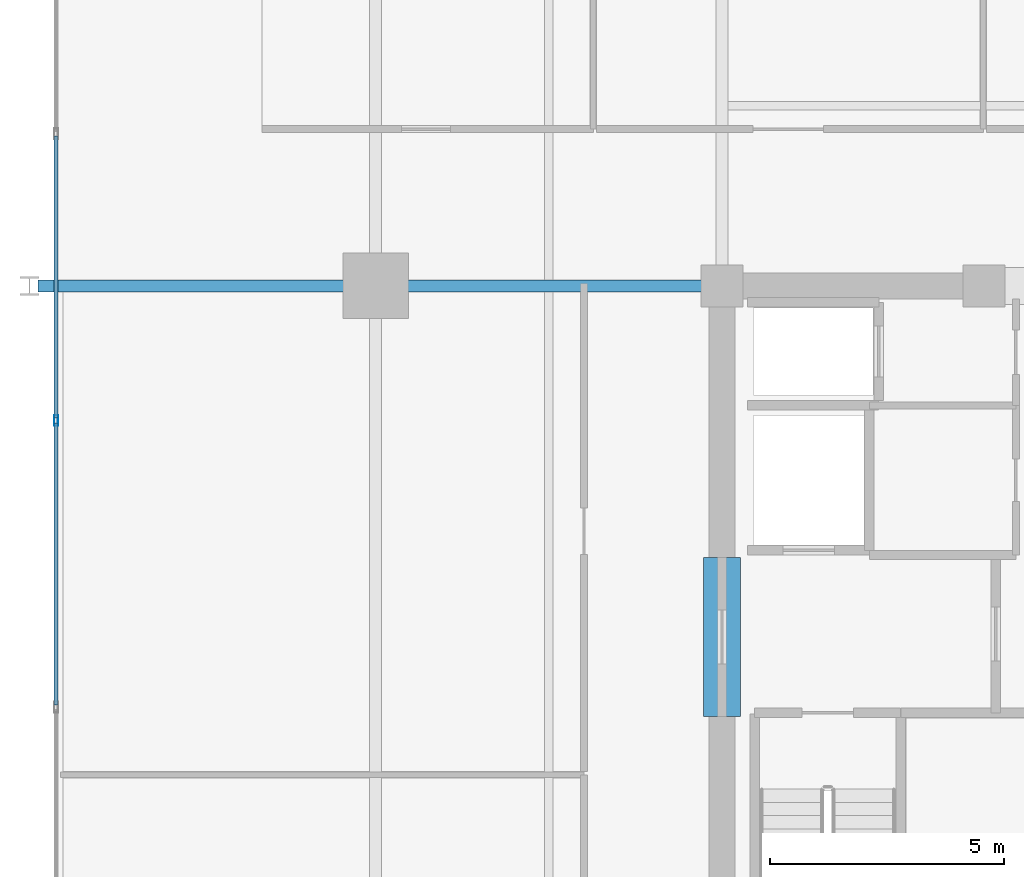
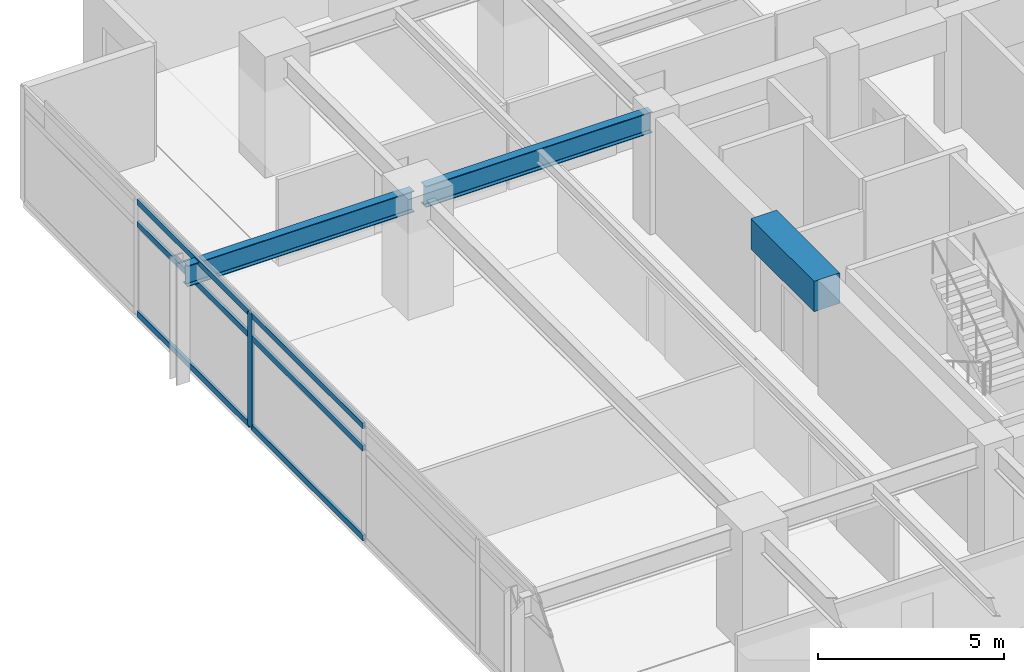
# One storey, part 7 of 20: 7 members, 3 beams, 1 element without a shape of its own.
"""IFC4 building model written with IfcOpenShell, lengths in metres."""

from ifc_helpers import new_model, si_unit, direction, frame, origin, origin_2d, place, context, subcontext, project, spatial, rectangle, hollow_rectangle, i_section, extrude, material, material_profile, profile_set, type_object, element, aggregate, save


model = new_model("IFC4")

# Units and contexts
model_context = context("Model", 3, precision=1e-05, world=origin(), true_north=direction((0.0, 1.0)))
body_context = subcontext(model_context, "Body", "Model", "MODEL_VIEW")
ifc_project = project(units=[si_unit("LENGTHUNIT", "METRE"), si_unit("AREAUNIT", "SQUARE_METRE"), si_unit("VOLUMEUNIT", "CUBIC_METRE"), si_unit("PLANEANGLEUNIT", "RADIAN"), si_unit("MASSUNIT", "GRAM", prefix="KILO")], contexts=[model_context])

# Site, building, storey
site_placement = place(None, origin())
site = spatial("IfcSite", under=ifc_project, at=site_placement, CompositionType="ELEMENT")
building_placement = place(site_placement, origin())
building = spatial("IfcBuilding", under=site, at=building_placement, Name="Kovane Verandah Tower", CompositionType="ELEMENT")
storey_placement = place(building_placement, frame((0.0, 0.0, 213.199951171875)))
storey = spatial("IfcBuildingStorey", under=building, at=storey_placement, Name="L49", CompositionType="ELEMENT", Elevation=213.199951171875)

# Beams
ifc_material_1 = material(Name="Concrete C60/75", Category="concrete")
ifc_material_profile_1 = material_profile(ifc_material_1, rectangle(XDim=0.800048828125, YDim=1.0, at=origin_2d()), Name="RCB800x1000")
ifc_profile_set_1 = profile_set([ifc_material_profile_1], Name="Concrete C60/75")
beam_type_1 = type_object("IfcBeamType", Name="BM-LINTEL-800x1000", PredefinedType="LINTEL", material=ifc_profile_set_1)
beam_placement = place(storey_placement, frame((29.0, 27.300048828125, 3.275146484375), z_axis=(0.0, 1.0, 0.0), x_axis=(-1.0, 0.0, 0.0)))
element("IfcBeam", 1, at=beam_placement, inside=storey, type_object=beam_type_1, Name="L49 Core Coupling Lintel CL-W", PredefinedType="LINTEL", context=body_context, shape_type="SweptSolid", body=[
    extrude(rectangle(XDim=0.800048828125, YDim=1.0, at=origin_2d()), origin(), (0.0, 0.0, 1.0), 3.39990234375),
])
ifc_material_2 = material(Name="Steel S355", Category="steel")
ifc_material_profile_2 = material_profile(ifc_material_2, i_section(OverallWidth=0.255859375, OverallDepth=0.69287109375, WebThickness=0.014404296875, FlangeThickness=0.023681640625, FilletRadius=0.01513671875, at=origin_2d()), Name="UB686x254x170")
ifc_profile_set_2 = profile_set([ifc_material_profile_2], Name="Steel S355")
beam_type_2 = type_object("IfcBeamType", Name="BM-UB686x170", PredefinedType="BEAM", material=ifc_profile_set_2)
for number, where, z_axis, x_axis, name in (
    (2, (28.820068359375, 36.5, 3.428466796875), (-1.0, 0.0, 0.0), (0.0, -1.0, 0.0), "L49 Primary Tower Girder G-W2"),
    (3, (21.419921875, 36.5, 3.41357421875), (-1.0, 0.0, 0.0), (0.0, -1.0, 0.0), "L49 Primary Tower Girder G-VW2"),
):
    element("IfcBeam", number, at=place(storey_placement, frame(where, z_axis=z_axis, x_axis=x_axis)), inside=storey, type_object=beam_type_2, Name=name, PredefinedType="BEAM", context=body_context, shape_type="SweptSolid", body=[
        extrude(i_section(OverallWidth=0.255859375, OverallDepth=0.69287109375, WebThickness=0.014404296875, FlangeThickness=0.023681640625, FilletRadius=0.01513671875, at=origin_2d()), origin(), (0.0, 0.0, 1.0), 7.0400390625),
    ])

# Curtain wall, members
ifc_material_3 = material(Name="Champagne Anodised Aluminium Frame with Low-E Clear Laminated Glass", Category="aluminium")
curtain_wall_type = type_object("IfcCurtainWallType", Name="CW-SYS-03-MID", PredefinedType="NOTDEFINED", material=ifc_material_3)
curtain_wall_placement = place(storey_placement, origin())
curtain_wall = element("IfcCurtainWall", 4, at=curtain_wall_placement, inside=storey, type_object=curtain_wall_type, Name="L49 W Unitised Curtain Wall", PredefinedType="NOTDEFINED")
ifc_material_4 = material(Name="Champagne Anodised Aluminium 6063-T6", Category="aluminium")
ifc_material_profile_3 = material_profile(ifc_material_4, hollow_rectangle(XDim=0.0849609375, YDim=0.22998046875, WallThickness=0.00390625, at=origin_2d()), Name="AL85x230x4")
ifc_profile_set_3 = profile_set([ifc_material_profile_3], Name="Champagne Anodised Aluminium 6063-T6")
member_type_1 = type_object("IfcMemberType", Name="CW-MUL-85x230", PredefinedType="MULLION", material=ifc_profile_set_3)
member_1_placement = place(storey_placement, frame((14.768310546875, 33.626953125, 0.02001953125), z_axis=(0.0, 0.0, 1.0), x_axis=(-1.0, 0.0, 0.0)))
member_1 = element("IfcMember", 5, at=member_1_placement, type_object=member_type_1, Name="L49 W Unitised Curtain Wall Mullion 3", PredefinedType="MULLION", context=body_context, shape_type="SweptSolid", body=[
    extrude(hollow_rectangle(XDim=0.0849609375, YDim=0.22998046875, WallThickness=0.00390625, at=origin_2d()), origin(), (0.0, 0.0, 1.0), 3.735107421875),
])
ifc_material_profile_4 = material_profile(ifc_material_4, hollow_rectangle(XDim=0.0849609375, YDim=0.18994140625, WallThickness=0.00390625, at=origin_2d()), Name="AL85x190x4")
ifc_profile_set_4 = profile_set([ifc_material_profile_4], Name="Champagne Anodised Aluminium 6063-T6")
member_type_2 = type_object("IfcMemberType", Name="CW-TRN-85x190", PredefinedType="USERDEFINED", material=ifc_profile_set_4)
member_2_placement = place(storey_placement, frame((14.768310546875, 39.70361328125, 0.050048828125), z_axis=(0.0, -1.0, 0.0), x_axis=(1.0, 0.0, 0.0)))
member_2 = element("IfcMember", 6, at=member_2_placement, type_object=member_type_2, Name="L49 W Unitised Curtain Wall Transom TB Bay 2", ObjectType="TRANSOM", PredefinedType="USERDEFINED", context=body_context, shape_type="SweptSolid", body=[
    extrude(hollow_rectangle(XDim=0.0849609375, YDim=0.18994140625, WallThickness=0.00390625, at=origin_2d()), origin(), (0.0, 0.0, 1.0), 6.026611328125),
])
member_3_placement = place(storey_placement, frame((14.768310546875, 39.70361328125, 2.9951171875), z_axis=(0.0, -1.0, 0.0), x_axis=(1.0, 0.0, 0.0)))
member_3 = element("IfcMember", 7, at=member_3_placement, type_object=member_type_2, Name="L49 W Unitised Curtain Wall Transom TM Bay 2", ObjectType="TRANSOM", PredefinedType="USERDEFINED", context=body_context, shape_type="SweptSolid", body=[
    extrude(hollow_rectangle(XDim=0.0849609375, YDim=0.18994140625, WallThickness=0.00390625, at=origin_2d()), origin(), (0.0, 0.0, 1.0), 6.026611328125),
])
member_4_placement = place(storey_placement, frame((14.768310546875, 39.70361328125, 3.72509765625), z_axis=(0.0, -1.0, 0.0), x_axis=(1.0, 0.0, 0.0)))
member_4 = element("IfcMember", 8, at=member_4_placement, type_object=member_type_2, Name="L49 W Unitised Curtain Wall Transom TT Bay 2", ObjectType="TRANSOM", PredefinedType="USERDEFINED", context=body_context, shape_type="SweptSolid", body=[
    extrude(hollow_rectangle(XDim=0.0849609375, YDim=0.18994140625, WallThickness=0.00390625, at=origin_2d()), origin(), (0.0, 0.0, 1.0), 6.026611328125),
])
member_5_placement = place(storey_placement, frame((14.768310546875, 33.576904296875, 0.050048828125), z_axis=(0.0, -1.0, 0.0), x_axis=(1.0, 0.0, 0.0)))
member_5 = element("IfcMember", 9, at=member_5_placement, type_object=member_type_2, Name="L49 W Unitised Curtain Wall Transom TB Bay 3", ObjectType="TRANSOM", PredefinedType="USERDEFINED", context=body_context, shape_type="SweptSolid", body=[
    extrude(hollow_rectangle(XDim=0.0849609375, YDim=0.18994140625, WallThickness=0.00390625, at=origin_2d()), origin(), (0.0, 0.0, 1.0), 6.02685546875),
])
member_6_placement = place(storey_placement, frame((14.768310546875, 33.576904296875, 2.9951171875), z_axis=(0.0, -1.0, 0.0), x_axis=(1.0, 0.0, 0.0)))
member_6 = element("IfcMember", 10, at=member_6_placement, type_object=member_type_2, Name="L49 W Unitised Curtain Wall Transom TM Bay 3", ObjectType="TRANSOM", PredefinedType="USERDEFINED", context=body_context, shape_type="SweptSolid", body=[
    extrude(hollow_rectangle(XDim=0.0849609375, YDim=0.18994140625, WallThickness=0.00390625, at=origin_2d()), origin(), (0.0, 0.0, 1.0), 6.02685546875),
])
member_7_placement = place(storey_placement, frame((14.768310546875, 33.576904296875, 3.72509765625), z_axis=(0.0, -1.0, 0.0), x_axis=(1.0, 0.0, 0.0)))
member_7 = element("IfcMember", 11, at=member_7_placement, type_object=member_type_2, Name="L49 W Unitised Curtain Wall Transom TT Bay 3", ObjectType="TRANSOM", PredefinedType="USERDEFINED", context=body_context, shape_type="SweptSolid", body=[
    extrude(hollow_rectangle(XDim=0.0849609375, YDim=0.18994140625, WallThickness=0.00390625, at=origin_2d()), origin(), (0.0, 0.0, 1.0), 6.02685546875),
])
aggregate(curtain_wall, [member_1, member_2, member_3, member_4, member_5, member_6, member_7])

save(model, "model.ifc")
